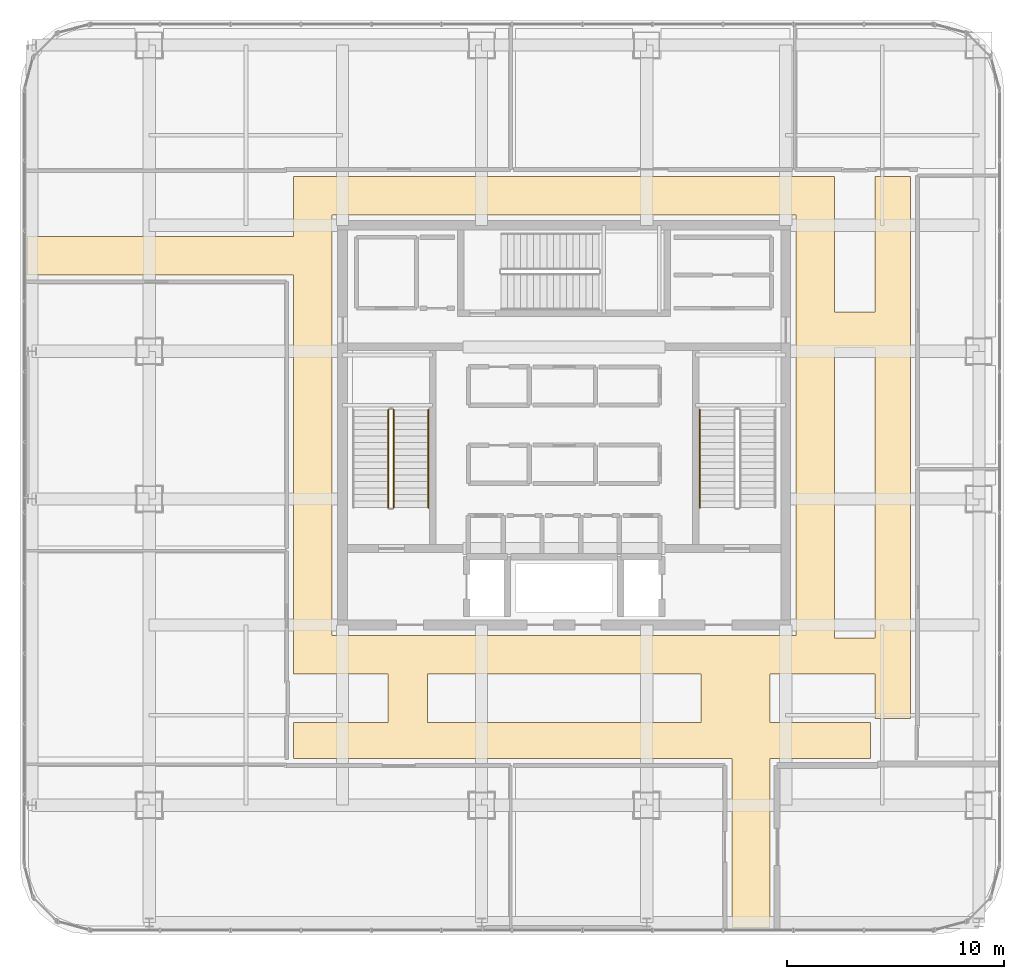
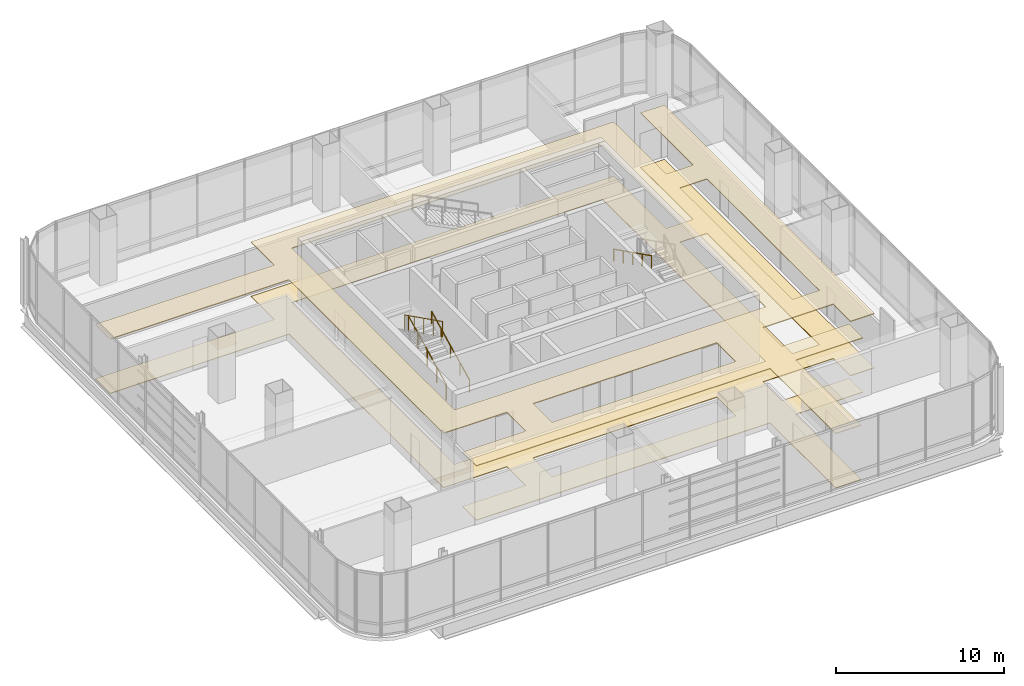
# One storey, part 42 of 45: 4 railings, 2 coverings.
"""IFC4 building model written with IfcOpenShell, lengths in metres."""

from ifc_helpers import new_model, si_unit, direction, frame, origin, origin_2d, place, context, subcontext, project, spatial, polyline, circle, outline, extrude, material, layer, layer_set, type_object, element, save


model = new_model("IFC4")

# Units and contexts
model_context = context("Model", 3, precision=1e-05, world=origin(), true_north=direction((0.0, 1.0)))
body_context = subcontext(model_context, "Body", "Model", "MODEL_VIEW")
ifc_project = project(units=[si_unit("LENGTHUNIT", "METRE"), si_unit("AREAUNIT", "SQUARE_METRE"), si_unit("VOLUMEUNIT", "CUBIC_METRE"), si_unit("PLANEANGLEUNIT", "RADIAN"), si_unit("MASSUNIT", "GRAM", prefix="KILO")], contexts=[model_context])

# Site, building, storey
site_placement = place(None, origin())
site = spatial("IfcSite", under=ifc_project, at=site_placement, CompositionType="ELEMENT")
building_placement = place(site_placement, origin())
building = spatial("IfcBuilding", under=site, at=building_placement, Name="Punatoya Terracotta Tower", CompositionType="ELEMENT")
storey_placement = place(building_placement, frame((0.0, 0.0, 339.0)))
storey = spatial("IfcBuildingStorey", under=building, at=storey_placement, Name="L80", CompositionType="ELEMENT", Elevation=339.0)

# Coverings
ifc_material_1 = material(Name="Acoustic Mineral Fibre Ceiling")
ifc_layer_1 = layer(ifc_material_1, 0.06005859375)
ifc_layer_set_1 = layer_set([ifc_layer_1], Name="Acoustic Mineral Fibre Ceiling")
covering_type_1 = type_object("IfcCoveringType", Name="COV-CEIL-60", PredefinedType="CEILING", material=ifc_layer_set_1)
covering_1_placement = place(storey_placement, frame((0.0, 0.0, 3.929931640625)))
element("IfcCovering", 1, at=covering_1_placement, inside=storey, type_object=covering_type_1, Name="L80 Public Sky-Deck Visitor Circulation Corridor Acoustic Ceiling", PredefinedType="CEILING", context=body_context, shape_type="SweptSolid", body=[
    extrude(outline(polyline([(14.10009765625, -13.699951171875), (9.47998046875, -13.699951171875), (9.47998046875, -11.449951171875), (14.300048828125, -11.449951171875), (14.300048828125, -13.5), (15.949951171875, -13.5), (15.949951171875, 11.449951171875), (14.300048828125, 11.449951171875), (14.300048828125, 5.199951171875), (12.449951171875, 5.199951171875), (12.449951171875, 11.449951171875), (-12.449951171875, 11.449951171875), (-12.449951171875, 8.679931640625), (-24.72998046875, 8.679931640625), (-24.72998046875, 6.919921875), (-12.449951171875, 6.919921875), (-12.449951171875, -11.449951171875), (-8.10009765625, -11.449951171875), (-8.10009765625, -13.699951171875), (-12.449951171875, -13.699951171875), (-12.449951171875, -15.35009765625), (7.719970703125, -15.35009765625), (7.719970703125, -23.1298828125), (9.47998046875, -23.1298828125), (9.47998046875, -15.35009765625), (14.10009765625, -15.35009765625), (14.10009765625, -13.699951171875)]), holes=[polyline([(12.449951171875, 3.550048828125), (14.300048828125, 3.550048828125), (14.300048828125, -9.800048828125), (12.449951171875, -9.800048828125), (12.449951171875, 3.550048828125)]), polyline([(10.679931640625, 9.679931640625), (10.679931640625, -9.679931640625), (-10.679931640625, -9.679931640625), (-10.679931640625, 9.679931640625), (10.679931640625, 9.679931640625)]), polyline([(6.300048828125, -13.699951171875), (-6.300048828125, -13.699951171875), (-6.300048828125, -11.449951171875), (6.300048828125, -11.449951171875), (6.300048828125, -13.699951171875)])]), origin(), (0.0, 0.0, 1.0), 0.06005859375),
])
ifc_material_2 = material(Name="Sandstone & Raised Access Flooring", Category="masonry")
ifc_layer_2 = layer(ifc_material_2, 0.080078125)
ifc_layer_set_2 = layer_set([ifc_layer_2], Name="Sandstone & Raised Access Flooring")
covering_type_2 = type_object("IfcCoveringType", Name="COV-FLR-80", PredefinedType="FLOORING", material=ifc_layer_set_2)
covering_2_placement = place(storey_placement, origin())
element("IfcCovering", 2, at=covering_2_placement, inside=storey, type_object=covering_type_2, Name="L80 Public Sky-Deck Visitor Circulation Corridor Stone Floor Finish", PredefinedType="FLOORING", context=body_context, shape_type="SweptSolid", body=[
    extrude(outline(polyline([(14.10009765625, -13.699951171875), (9.47998046875, -13.699951171875), (9.47998046875, -11.449951171875), (14.300048828125, -11.449951171875), (14.300048828125, -13.5), (15.949951171875, -13.5), (15.949951171875, 11.449951171875), (14.300048828125, 11.449951171875), (14.300048828125, 5.199951171875), (12.449951171875, 5.199951171875), (12.449951171875, 11.449951171875), (-12.449951171875, 11.449951171875), (-12.449951171875, 8.679931640625), (-24.72998046875, 8.679931640625), (-24.72998046875, 6.919921875), (-12.449951171875, 6.919921875), (-12.449951171875, -11.449951171875), (-8.10009765625, -11.449951171875), (-8.10009765625, -13.699951171875), (-12.449951171875, -13.699951171875), (-12.449951171875, -15.35009765625), (7.719970703125, -15.35009765625), (7.719970703125, -23.1298828125), (9.47998046875, -23.1298828125), (9.47998046875, -15.35009765625), (14.10009765625, -15.35009765625), (14.10009765625, -13.699951171875)]), holes=[polyline([(12.449951171875, 3.550048828125), (14.300048828125, 3.550048828125), (14.300048828125, -9.800048828125), (12.449951171875, -9.800048828125), (12.449951171875, 3.550048828125)]), polyline([(10.679931640625, 9.679931640625), (10.679931640625, -9.679931640625), (-10.679931640625, -9.679931640625), (-10.679931640625, 9.679931640625), (10.679931640625, 9.679931640625)]), polyline([(6.300048828125, -13.699951171875), (-6.300048828125, -13.699951171875), (-6.300048828125, -11.449951171875), (6.300048828125, -11.449951171875), (6.300048828125, -13.699951171875)])]), origin(), (0.0, 0.0, 1.0), 0.0400390625),
])

# Railings
ifc_material_3 = material(Name="Steel S355", Category="steel")
railing_type_1 = type_object("IfcRailingType", Name="RLG-GRD-1150", PredefinedType="GUARDRAIL", material=ifc_material_3)
railing_1_placement = place(storey_placement, frame((-7.85009765625, -3.800048828125, 0.14990234375)))
element("IfcRailing", 3, at=railing_1_placement, inside=storey, type_object=railing_type_1, Name="L80 ST-1 stair guard 1", PredefinedType="GUARDRAIL", context=body_context, shape_type="SweptSolid", body=[
    extrude(circle(Radius=0.02392578125, at=origin_2d()), frame((0.0, 0.0, 1.1259765625), z_axis=(0.0, 0.894427191, 0.4472135955), x_axis=(-1.0, 0.0, 0.0)), (0.0, 0.0, 1.0), 5.03125),
    extrude(circle(Radius=0.02099609375, at=origin_2d()), origin(), (0.0, 0.0, 1.0), 1.101806640625),
    extrude(circle(Radius=0.02099609375, at=origin_2d()), frame((0.0, 1.125, 0.5625)), (0.0, 0.0, 1.0), 1.101806640625),
    extrude(circle(Radius=0.02099609375, at=origin_2d()), frame((0.0, 2.25, 1.125)), (0.0, 0.0, 1.0), 1.101806640625),
    extrude(circle(Radius=0.02099609375, at=origin_2d()), frame((0.0, 3.375, 1.6875)), (0.0, 0.0, 1.0), 1.101806640625),
    extrude(circle(Radius=0.02099609375, at=origin_2d()), frame((0.0, 4.5, 2.25)), (0.0, 0.0, 1.0), 1.101806640625),
])
railing_2_placement = place(storey_placement, frame((-8.10009765625, 0.699951171875, 2.550048828125)))
element("IfcRailing", 4, at=railing_2_placement, inside=storey, type_object=railing_type_1, Name="L80 ST-1 stair guard 3", PredefinedType="GUARDRAIL", context=body_context, shape_type="SweptSolid", body=[
    extrude(circle(Radius=0.02392578125, at=origin_2d()), frame((0.0, 0.0, 1.1259765625), z_axis=(0.0, -0.894427191, 0.4472135955), x_axis=(1.0, 0.0, 0.0)), (0.0, 0.0, 1.0), 5.03125),
    extrude(circle(Radius=0.02099609375, at=origin_2d()), origin(), (0.0, 0.0, 1.0), 1.101806640625),
    extrude(circle(Radius=0.02099609375, at=origin_2d()), frame((0.0, -1.125, 0.5625)), (0.0, 0.0, 1.0), 1.101806640625),
    extrude(circle(Radius=0.02099609375, at=origin_2d()), frame((0.0, -2.25, 1.125)), (0.0, 0.0, 1.0), 1.101806640625),
    extrude(circle(Radius=0.02099609375, at=origin_2d()), frame((0.0, -3.375, 1.6875)), (0.0, 0.0, 1.0), 1.101806640625),
    extrude(circle(Radius=0.02099609375, at=origin_2d()), frame((0.0, -4.5, 2.25)), (0.0, 0.0, 1.0), 1.101806640625),
])
railing_type_2 = type_object("IfcRailingType", Name="RLG-HND-900", PredefinedType="HANDRAIL", material=ifc_material_3)
railing_3_placement = place(storey_placement, frame((-6.25, -3.800048828125, 0.14990234375)))
element("IfcRailing", 5, at=railing_3_placement, inside=storey, type_object=railing_type_2, Name="L80 ST-1 stair handrail 1", PredefinedType="HANDRAIL", context=body_context, shape_type="SweptSolid", body=[
    extrude(circle(Radius=0.02392578125, at=origin_2d()), frame((0.0, 0.0, 0.8759765625), z_axis=(0.0, 0.894427191, 0.4472135955), x_axis=(-1.0, 0.0, 0.0)), (0.0, 0.0, 1.0), 5.03125),
    extrude(circle(Radius=0.02099609375, at=origin_2d()), origin(), (0.0, 0.0, 1.0), 0.851806640625),
    extrude(circle(Radius=0.02099609375, at=origin_2d()), frame((0.0, 1.125, 0.5625)), (0.0, 0.0, 1.0), 0.851806640625),
    extrude(circle(Radius=0.02099609375, at=origin_2d()), frame((0.0, 2.25, 1.125)), (0.0, 0.0, 1.0), 0.851806640625),
    extrude(circle(Radius=0.02099609375, at=origin_2d()), frame((0.0, 3.375, 1.6875)), (0.0, 0.0, 1.0), 0.851806640625),
    extrude(circle(Radius=0.02099609375, at=origin_2d()), frame((0.0, 4.5, 2.25)), (0.0, 0.0, 1.0), 0.851806640625),
])
railing_4_placement = place(storey_placement, frame((6.25, 0.699951171875, 2.550048828125)))
element("IfcRailing", 6, at=railing_4_placement, inside=storey, type_object=railing_type_2, Name="L80 ST-2 stair handrail 2", PredefinedType="HANDRAIL", context=body_context, shape_type="SweptSolid", body=[
    extrude(circle(Radius=0.02392578125, at=origin_2d()), frame((0.0, 0.0, 0.8759765625), z_axis=(0.0, -0.894427191, 0.4472135955), x_axis=(1.0, 0.0, 0.0)), (0.0, 0.0, 1.0), 5.03125),
    extrude(circle(Radius=0.02099609375, at=origin_2d()), origin(), (0.0, 0.0, 1.0), 0.851806640625),
    extrude(circle(Radius=0.02099609375, at=origin_2d()), frame((0.0, -1.125, 0.5625)), (0.0, 0.0, 1.0), 0.851806640625),
    extrude(circle(Radius=0.02099609375, at=origin_2d()), frame((0.0, -2.25, 1.125)), (0.0, 0.0, 1.0), 0.851806640625),
    extrude(circle(Radius=0.02099609375, at=origin_2d()), frame((0.0, -3.375, 1.6875)), (0.0, 0.0, 1.0), 0.851806640625),
    extrude(circle(Radius=0.02099609375, at=origin_2d()), frame((0.0, -4.5, 2.25)), (0.0, 0.0, 1.0), 0.851806640625),
])

save(model, "model.ifc")
